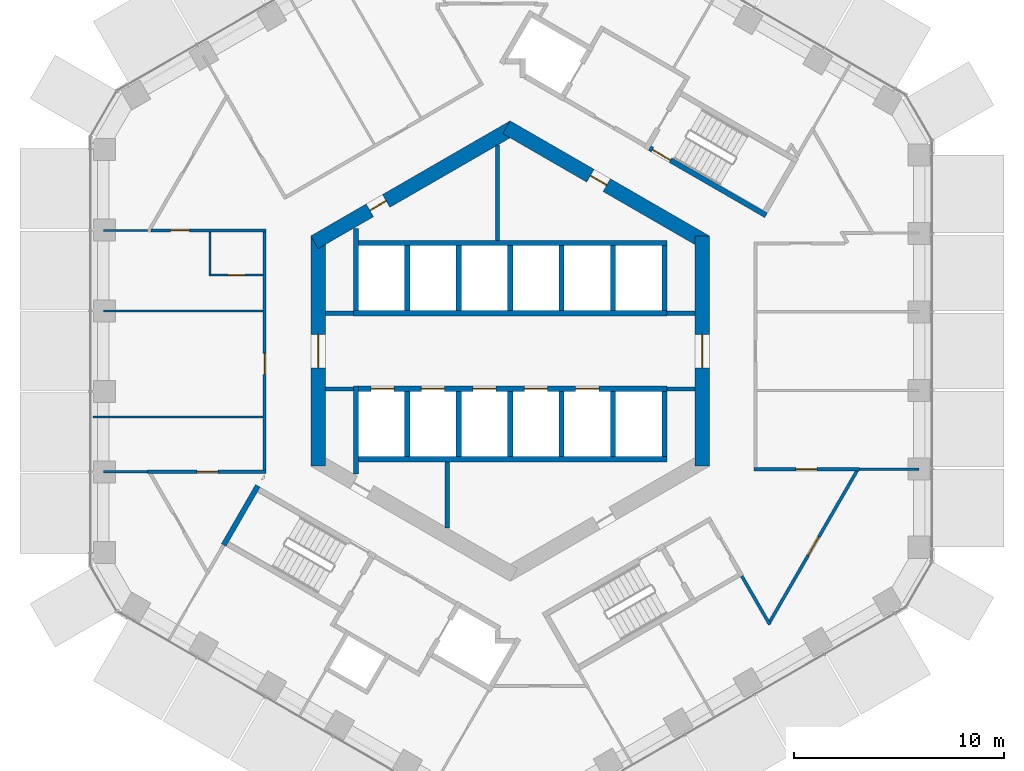
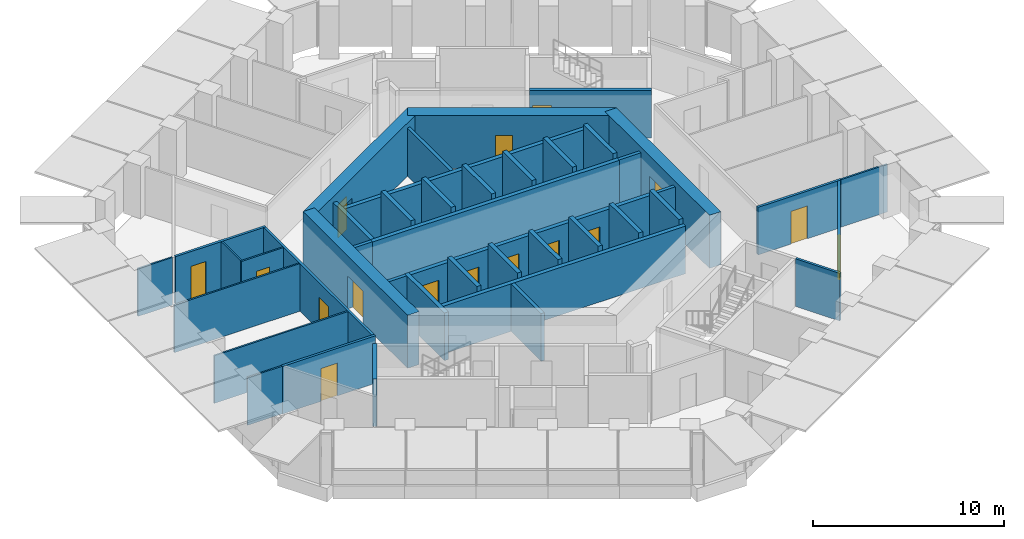
# One storey, part 13 of 18: 43 walls, 16 doors, 16 openings.
"""IFC4 building model written with IfcOpenShell, lengths in metres."""

from ifc_helpers import new_model, si_unit, direction, frame, frame_2d, origin, place, context, subcontext, project, spatial, rectangle, extrude, material, layer, layer_set, type_object, element, fill, save


model = new_model("IFC4")

# Units and contexts
model_context = context("Model", 3, precision=1e-05, world=origin(), true_north=direction((0.0, 1.0)))
body_context = subcontext(model_context, "Body", "Model", "MODEL_VIEW")
ifc_project = project(units=[si_unit("LENGTHUNIT", "METRE"), si_unit("AREAUNIT", "SQUARE_METRE"), si_unit("VOLUMEUNIT", "CUBIC_METRE"), si_unit("PLANEANGLEUNIT", "RADIAN"), si_unit("MASSUNIT", "GRAM", prefix="KILO")], contexts=[model_context])

# Site, building, storey
site_placement = place(None, origin())
site = spatial("IfcSite", under=ifc_project, at=site_placement, CompositionType="ELEMENT")
building_placement = place(site_placement, origin())
building = spatial("IfcBuilding", under=site, at=building_placement, Name="Ayvan Gate Tower", CompositionType="ELEMENT")
storey_placement = place(building_placement, frame((0.0, 0.0, 89.89990234375)))
storey = spatial("IfcBuildingStorey", under=building, at=storey_placement, Name="L23", CompositionType="ELEMENT", Elevation=89.89990234375)

# Wall, opening, door
ifc_material_1 = material(Name="Concrete C70/85", Category="concrete")
ifc_layer_1 = layer(ifc_material_1, 0.699951171875)
ifc_layer_set_1 = layer_set([ifc_layer_1], Name="Concrete C70/85")
wall_type_1 = type_object("IfcWallType", Name="Core wall 700 C70/85", PredefinedType="SHEAR", material=ifc_layer_set_1)
wall_1_placement = place(storey_placement, frame((9.14990234375, -5.48486328125, 0.0), z_axis=(0.0, 0.0, 1.0), x_axis=(0.0, 1.0, 0.0)))
wall_1 = element("IfcWall", 1, at=wall_1_placement, inside=storey, type_object=wall_type_1, Name="CORE-L23-0", PredefinedType="SHEAR", context=body_context, shape_type="SweptSolid", body=[
    extrude(rectangle(XDim=10.9697265625, YDim=0.699951171875, at=frame_2d((5.48486328125, 0.0))), origin(), (0.0, 0.0, 1.0), 3.400146484375),
])
opening_1_placement = place(wall_1_placement, frame((4.684814453125, 0.0, 0.0)))
opening_1 = element("IfcOpeningElement", 2, at=opening_1_placement, cuts=wall_1, Name="Opening L23-D41", PredefinedType="OPENING", context=body_context, shape_type="SweptSolid", body=[
    extrude(rectangle(XDim=1.60009765625, YDim=2.10009765625, at=frame_2d((0.800048828125, 1.050048828125))), frame((0.0, 0.35986328125, 0.0), z_axis=(0.0, -1.0, 0.0), x_axis=(1.0, 0.0, 0.0)), (0.0, 0.0, 1.0), 0.719970703125),
])
ifc_material_2 = material(Name="Timber door leaf", Category="wood")
door_type_1 = type_object("IfcDoorType", Name="DT-1600", OperationType="NOTDEFINED", PredefinedType="DOOR", material=ifc_material_2)
door_1_placement = place(opening_1_placement, origin())
door_1 = element("IfcDoor", 3, at=door_1_placement, inside=storey, type_object=door_type_1, Name="CD-L23-41", OperationType="SINGLE_SWING_RIGHT", OverallHeight=2.10009765625, OverallWidth=1.60009765625, PredefinedType="DOOR", context=body_context, shape_type="SweptSolid", body=[
    extrude(rectangle(XDim=1.60009765625, YDim=2.10009765625, at=frame_2d((0.800048828125, 1.050048828125))), frame((0.0, 0.02490234375, 0.0), z_axis=(0.0, -1.0, 0.0), x_axis=(1.0, 0.0, 0.0)), (0.0, 0.0, 1.0), 0.050048828125),
])
fill(opening_1, door_1)

wall_2_placement = place(storey_placement, frame((9.324951171875, 5.181640625, 0.0), z_axis=(0.0, 0.0, 1.0), x_axis=(-0.866023993627, 0.500002442456, 0.0)))
wall_2 = element("IfcWall", 4, at=wall_2_placement, inside=storey, type_object=wall_type_1, Name="CORE-L23-1", PredefinedType="SHEAR", context=body_context, shape_type="SweptSolid", body=[
    extrude(rectangle(XDim=10.9697265625, YDim=0.699951171875, at=frame_2d((5.48486328125, 0.0))), origin(), (0.0, 0.0, 1.0), 3.400146484375),
])
opening_2_placement = place(wall_2_placement, frame((5.451171875, 0.0, 0.0)))
opening_2 = element("IfcOpeningElement", 5, at=opening_2_placement, cuts=wall_2, Name="Opening L23-D38", PredefinedType="OPENING", context=body_context, shape_type="SweptSolid", body=[
    extrude(rectangle(XDim=0.89990234375, YDim=2.10009765625, at=frame_2d((0.449951171875, 1.050048828125))), frame((0.0, 0.35986328125, 0.0), z_axis=(0.0, -1.0, 0.0), x_axis=(1.0, 0.0, 0.0)), (0.0, 0.0, 1.0), 0.719970703125),
])
door_type_2 = type_object("IfcDoorType", Name="DT-900", OperationType="NOTDEFINED", PredefinedType="DOOR", material=ifc_material_2)
door_2_placement = place(opening_2_placement, origin())
door_2 = element("IfcDoor", 6, at=door_2_placement, inside=storey, type_object=door_type_2, Name="CD-L23-38", OperationType="SINGLE_SWING_LEFT", OverallHeight=2.10009765625, OverallWidth=0.89990234375, PredefinedType="DOOR", context=body_context, shape_type="SweptSolid", body=[
    extrude(rectangle(XDim=0.89990234375, YDim=2.10009765625, at=frame_2d((0.449951171875, 1.050048828125))), frame((0.0, 0.02490234375, 0.0), z_axis=(0.0, -1.0, 0.0), x_axis=(1.0, 0.0, 0.0)), (0.0, 0.0, 1.0), 0.050048828125),
])
fill(opening_2, door_2)

wall_3_placement = place(storey_placement, frame((0.175048828125, 10.66650390625, 0.0), z_axis=(0.0, 0.0, 1.0), x_axis=(-0.866023993627, -0.500002442456, 0.0)))
wall_3 = element("IfcWall", 7, at=wall_3_placement, inside=storey, type_object=wall_type_1, Name="CORE-L23-2", PredefinedType="SHEAR", context=body_context, shape_type="SweptSolid", body=[
    extrude(rectangle(XDim=10.9697265625, YDim=0.699951171875, at=frame_2d((5.48486328125, 0.0))), origin(), (0.0, 0.0, 1.0), 3.400146484375),
])
opening_3_placement = place(wall_3_placement, frame((7.021484375, 0.0, 0.0)))
opening_3 = element("IfcOpeningElement", 8, at=opening_3_placement, cuts=wall_3, Name="Opening L23-D37", PredefinedType="OPENING", context=body_context, shape_type="SweptSolid", body=[
    extrude(rectangle(XDim=0.89990234375, YDim=2.10009765625, at=frame_2d((0.449951171875, 1.050048828125))), frame((0.0, 0.35986328125, 0.0), z_axis=(0.0, -1.0, 0.0), x_axis=(1.0, 0.0, 0.0)), (0.0, 0.0, 1.0), 0.719970703125),
])
door_3_placement = place(opening_3_placement, origin())
door_3 = element("IfcDoor", 9, at=door_3_placement, inside=storey, type_object=door_type_2, Name="CD-L23-37", OperationType="SINGLE_SWING_RIGHT", OverallHeight=2.10009765625, OverallWidth=0.89990234375, PredefinedType="DOOR", context=body_context, shape_type="SweptSolid", body=[
    extrude(rectangle(XDim=0.89990234375, YDim=2.10009765625, at=frame_2d((0.449951171875, 1.050048828125))), frame((0.0, 0.02490234375, 0.0), z_axis=(0.0, -1.0, 0.0), x_axis=(1.0, 0.0, 0.0)), (0.0, 0.0, 1.0), 0.050048828125),
])
fill(opening_3, door_3)

wall_4_placement = place(storey_placement, frame((-9.14990234375, 5.48486328125, 0.0), z_axis=(0.0, 0.0, 1.0), x_axis=(0.0, -1.0, 0.0)))
wall_4 = element("IfcWall", 10, at=wall_4_placement, inside=storey, type_object=wall_type_1, Name="CORE-L23-3", PredefinedType="SHEAR", context=body_context, shape_type="SweptSolid", body=[
    extrude(rectangle(XDim=10.9697265625, YDim=0.699951171875, at=frame_2d((5.48486328125, 0.0))), origin(), (0.0, 0.0, 1.0), 3.400146484375),
])
opening_4_placement = place(wall_4_placement, frame((4.684814453125, 0.0, 0.0)))
opening_4 = element("IfcOpeningElement", 11, at=opening_4_placement, cuts=wall_4, Name="Opening L23-D42", PredefinedType="OPENING", context=body_context, shape_type="SweptSolid", body=[
    extrude(rectangle(XDim=1.60009765625, YDim=2.10009765625, at=frame_2d((0.800048828125, 1.050048828125))), frame((0.0, 0.35986328125, 0.0), z_axis=(0.0, -1.0, 0.0), x_axis=(1.0, 0.0, 0.0)), (0.0, 0.0, 1.0), 0.719970703125),
])
door_4_placement = place(opening_4_placement, origin())
door_4 = element("IfcDoor", 12, at=door_4_placement, inside=storey, type_object=door_type_1, Name="CD-L23-42", OperationType="SINGLE_SWING_LEFT", OverallHeight=2.10009765625, OverallWidth=1.60009765625, PredefinedType="DOOR", context=body_context, shape_type="SweptSolid", body=[
    extrude(rectangle(XDim=1.60009765625, YDim=2.10009765625, at=frame_2d((0.800048828125, 1.050048828125))), frame((0.0, 0.02490234375, 0.0), z_axis=(0.0, -1.0, 0.0), x_axis=(1.0, 0.0, 0.0)), (0.0, 0.0, 1.0), 0.050048828125),
])
fill(opening_4, door_4)

ifc_material_3 = material(Name="Plasterboard on steel stud", Category="steel")
ifc_layer_2 = layer(ifc_material_3, 0.14990234375)
ifc_layer_set_2 = layer_set([ifc_layer_2], Name="Plasterboard on steel stud")
wall_type_2 = type_object("IfcWallType", Name="WT-CORR-150", PredefinedType="PARTITIONING", material=ifc_layer_set_2)
wall_5_placement = place(storey_placement, frame((-17.27001953125, -5.751953125, 0.0), z_axis=(0.0, 0.0, 1.0), x_axis=(1.0, 0.0, 0.0)))
wall_5 = element("IfcWall", 13, at=wall_5_placement, inside=storey, type_object=wall_type_2, Name="IW-L23-001", PredefinedType="PARTITIONING", context=body_context, shape_type="SweptSolid", body=[
    extrude(rectangle(XDim=5.64501953125, YDim=0.14990234375, at=frame_2d((2.822509765625, 0.0))), origin(), (0.0, 0.0, 1.0), 3.050048828125),
])
opening_5_placement = place(wall_5_placement, frame((2.33984375, 0.0, 0.0)))
opening_5 = element("IfcOpeningElement", 14, at=opening_5_placement, cuts=wall_5, Name="Opening L23-D27", PredefinedType="OPENING", context=body_context, shape_type="SweptSolid", body=[
    extrude(rectangle(XDim=1.0, YDim=2.10009765625, at=frame_2d((0.5, 1.050048828125))), frame((0.0, 0.0849609375, 0.0), z_axis=(0.0, -1.0, 0.0), x_axis=(1.0, 0.0, 0.0)), (0.0, 0.0, 1.0), 0.169921875),
])
door_type_3 = type_object("IfcDoorType", Name="DT-1000", OperationType="NOTDEFINED", PredefinedType="DOOR", material=ifc_material_2)
door_5_placement = place(opening_5_placement, origin())
door_5 = element("IfcDoor", 15, at=door_5_placement, inside=storey, type_object=door_type_3, Name="ID-L23-027", OperationType="SINGLE_SWING_RIGHT", OverallHeight=2.10009765625, OverallWidth=1.0, PredefinedType="DOOR", context=body_context, shape_type="SweptSolid", body=[
    extrude(rectangle(XDim=1.0, YDim=2.10009765625, at=frame_2d((0.5, 1.050048828125))), frame((0.0, 0.02490234375, 0.0), z_axis=(0.0, -1.0, 0.0), x_axis=(1.0, 0.0, 0.0)), (0.0, 0.0, 1.0), 0.050048828125),
])
fill(opening_5, door_5)

wall_6_placement = place(storey_placement, frame((-17.1201171875, 5.751953125, 0.0), z_axis=(0.0, 0.0, 1.0), x_axis=(1.0, 0.0, 0.0)))
wall_6 = element("IfcWall", 16, at=wall_6_placement, inside=storey, type_object=wall_type_2, Name="IW-L23-009", PredefinedType="PARTITIONING", context=body_context, shape_type="SweptSolid", body=[
    extrude(rectangle(XDim=5.4951171875, YDim=0.14990234375, at=frame_2d((2.74755859375, 0.0))), origin(), (0.0, 0.0, 1.0), 3.050048828125),
])
opening_6_placement = place(wall_6_placement, frame((0.945068359375, 0.0, 0.0)))
opening_6 = element("IfcOpeningElement", 17, at=opening_6_placement, cuts=wall_6, Name="Opening L23-D24", PredefinedType="OPENING", context=body_context, shape_type="SweptSolid", body=[
    extrude(rectangle(XDim=0.89990234375, YDim=2.10009765625, at=frame_2d((0.449951171875, 1.050048828125))), frame((0.0, 0.0849609375, 0.0), z_axis=(0.0, -1.0, 0.0), x_axis=(1.0, 0.0, 0.0)), (0.0, 0.0, 1.0), 0.169921875),
])
door_6_placement = place(opening_6_placement, origin())
door_6 = element("IfcDoor", 18, at=door_6_placement, inside=storey, type_object=door_type_2, Name="ID-L23-024", OperationType="SINGLE_SWING_LEFT", OverallHeight=2.10009765625, OverallWidth=0.89990234375, PredefinedType="DOOR", context=body_context, shape_type="SweptSolid", body=[
    extrude(rectangle(XDim=0.89990234375, YDim=2.10009765625, at=frame_2d((0.449951171875, 1.050048828125))), frame((0.0, 0.02490234375, 0.0), z_axis=(0.0, -1.0, 0.0), x_axis=(1.0, 0.0, 0.0)), (0.0, 0.0, 1.0), 0.050048828125),
])
fill(opening_6, door_6)

wall_7_placement = place(storey_placement, frame((-11.699951171875, 5.677001953125, 0.0), z_axis=(0.0, 0.0, 1.0), x_axis=(0.0, -1.0, 0.0)))
wall_7 = element("IfcWall", 19, at=wall_7_placement, inside=storey, type_object=wall_type_2, Name="IW-L23-015", PredefinedType="PARTITIONING", context=body_context, shape_type="SweptSolid", body=[
    extrude(rectangle(XDim=11.35400390625, YDim=0.14990234375, at=frame_2d((5.677001953125, 0.0))), origin(), (0.0, 0.0, 1.0), 3.050048828125),
])
opening_7_placement = place(wall_7_placement, frame((5.790283203125, 0.0, 0.0)))
opening_7 = element("IfcOpeningElement", 20, at=opening_7_placement, cuts=wall_7, Name="Opening L23-D26", PredefinedType="OPENING", context=body_context, shape_type="SweptSolid", body=[
    extrude(rectangle(XDim=1.0, YDim=2.10009765625, at=frame_2d((0.5, 1.050048828125))), frame((0.0, 0.0849609375, 0.0), z_axis=(0.0, -1.0, 0.0), x_axis=(1.0, 0.0, 0.0)), (0.0, 0.0, 1.0), 0.169921875),
])
door_7_placement = place(opening_7_placement, origin())
door_7 = element("IfcDoor", 21, at=door_7_placement, inside=storey, type_object=door_type_3, Name="ID-L23-026", OperationType="SINGLE_SWING_LEFT", OverallHeight=2.10009765625, OverallWidth=1.0, PredefinedType="DOOR", context=body_context, shape_type="SweptSolid", body=[
    extrude(rectangle(XDim=1.0, YDim=2.10009765625, at=frame_2d((0.5, 1.050048828125))), frame((0.0, 0.02490234375, 0.0), z_axis=(0.0, -1.0, 0.0), x_axis=(1.0, 0.0, 0.0)), (0.0, 0.0, 1.0), 0.050048828125),
])
fill(opening_7, door_7)

wall_8_placement = place(storey_placement, frame((11.625, -5.62841796875, 0.0), z_axis=(0.0, 0.0, 1.0), x_axis=(1.0, 0.0, 0.0)))
wall_8 = element("IfcWall", 22, at=wall_8_placement, inside=storey, type_object=wall_type_2, Name="IW-L23-096", PredefinedType="PARTITIONING", context=body_context, shape_type="SweptSolid", body=[
    extrude(rectangle(XDim=5.0234375, YDim=0.14990234375, at=frame_2d((2.51171875, 0.0))), origin(), (0.0, 0.0, 1.0), 3.050048828125),
])
opening_8_placement = place(wall_8_placement, frame((1.994384765625, 0.0, 0.0)))
opening_8 = element("IfcOpeningElement", 23, at=opening_8_placement, cuts=wall_8, Name="Opening L23-D17", PredefinedType="OPENING", context=body_context, shape_type="SweptSolid", body=[
    extrude(rectangle(XDim=1.0, YDim=2.10009765625, at=frame_2d((0.5, 1.050048828125))), frame((0.0, 0.0849609375, 0.0), z_axis=(0.0, -1.0, 0.0), x_axis=(1.0, 0.0, 0.0)), (0.0, 0.0, 1.0), 0.169921875),
])
door_8_placement = place(opening_8_placement, origin())
door_8 = element("IfcDoor", 24, at=door_8_placement, inside=storey, type_object=door_type_3, Name="ID-L23-017", OperationType="SINGLE_SWING_RIGHT", OverallHeight=2.10009765625, OverallWidth=1.0, PredefinedType="DOOR", context=body_context, shape_type="SweptSolid", body=[
    extrude(rectangle(XDim=1.0, YDim=2.10009765625, at=frame_2d((0.5, 1.050048828125))), frame((0.0, 0.02490234375, 0.0), z_axis=(0.0, -1.0, 0.0), x_axis=(1.0, 0.0, 0.0)), (0.0, 0.0, 1.0), 0.050048828125),
])
fill(opening_8, door_8)

# Wall
wall_9_placement = place(storey_placement, frame((12.3740234375, -13.0322265625, 0.0), z_axis=(0.0, 0.0, 1.0), x_axis=(-0.499999136801, 0.866025902152, 0.0)))
element("IfcWall", 25, at=wall_9_placement, inside=storey, type_object=wall_type_2, Name="IW-L23-101", PredefinedType="PARTITIONING", context=body_context, shape_type="SweptSolid", body=[
    extrude(rectangle(XDim=2.67333984375, YDim=0.14990234375, at=frame_2d((1.336669921875, 0.0))), origin(), (0.0, 0.0, 1.0), 3.050048828125),
])

# Wall, opening, door
wall_10_placement = place(storey_placement, frame((16.535888671875, -5.693603515625, 0.0), z_axis=(0.0, 0.0, 1.0), x_axis=(-0.49999073022, -0.866030755628, 0.0)))
wall_10 = element("IfcWall", 26, at=wall_10_placement, inside=storey, type_object=wall_type_2, Name="IW-L23-111", PredefinedType="PARTITIONING", context=body_context, shape_type="SweptSolid", body=[
    extrude(rectangle(XDim=8.323974609375, YDim=0.14990234375, at=frame_2d((4.162109375, 0.0))), origin(), (0.0, 0.0, 1.0), 3.050048828125),
])
opening_9_placement = place(wall_10_placement, frame((3.662109375, 0.0, 0.0)))
opening_9 = element("IfcOpeningElement", 27, at=opening_9_placement, cuts=wall_10, Name="Opening L23-D33", PredefinedType="OPENING", context=body_context, shape_type="SweptSolid", body=[
    extrude(rectangle(XDim=1.0, YDim=2.10009765625, at=frame_2d((0.5, 1.050048828125))), frame((0.0, 0.0849609375, 0.0), z_axis=(0.0, -1.0, 0.0), x_axis=(1.0, 0.0, 0.0)), (0.0, 0.0, 1.0), 0.169921875),
])
door_9_placement = place(opening_9_placement, origin())
door_9 = element("IfcDoor", 28, at=door_9_placement, inside=storey, type_object=door_type_3, Name="ID-L23-033", OperationType="SINGLE_SWING_RIGHT", OverallHeight=2.10009765625, OverallWidth=1.0, PredefinedType="DOOR", context=body_context, shape_type="SweptSolid", body=[
    extrude(rectangle(XDim=1.0, YDim=2.10009765625, at=frame_2d((0.5, 1.050048828125))), frame((0.0, 0.02490234375, 0.0), z_axis=(0.0, -1.0, 0.0), x_axis=(1.0, 0.0, 0.0)), (0.0, 0.0, 1.0), 0.050048828125),
])
fill(opening_9, door_9)

# Walls
ifc_layer_3 = layer(ifc_material_3, 0.10009765625)
ifc_layer_set_3 = layer_set([ifc_layer_3], Name="Plasterboard on steel stud")
wall_type_3 = type_object("IfcWallType", Name="WT-PART-100", PredefinedType="PARTITIONING", material=ifc_layer_set_3)
for number, where, z_axis, x_axis, name in (
    (29, (-17.27001953125, -5.751953125, 0.0), (0.0, 0.0, 1.0), (-1.0, 0.0, 0.0), "IW-L23-000"),
    (30, (-17.27001953125, 5.751953125, 0.0), (0.0, 0.0, 1.0), (-1.0, 0.0, 0.0), "IW-L23-002"),
):
    element("IfcWall", number, at=place(storey_placement, frame(where, z_axis=z_axis, x_axis=x_axis)), inside=storey, type_object=wall_type_3, Name=name, PredefinedType="PARTITIONING", context=body_context, shape_type="SweptSolid", body=[
        extrude(rectangle(XDim=2.096923828125, YDim=0.10009765625, at=frame_2d((1.04833984375, 0.0))), origin(), (0.0, 0.0, 1.0), 3.050048828125),
    ])

# Wall, opening, door
wall_11_placement = place(storey_placement, frame((-14.35009765625, 3.6171875, 0.0), z_axis=(0.0, 0.0, 1.0), x_axis=(1.0, 0.0, 0.0)))
wall_11 = element("IfcWall", 31, at=wall_11_placement, inside=storey, type_object=wall_type_3, Name="IW-L23-007", PredefinedType="PARTITIONING", context=body_context, shape_type="SweptSolid", body=[
    extrude(rectangle(XDim=2.5751953125, YDim=0.10009765625, at=frame_2d((1.28759765625, 0.0))), origin(), (0.0, 0.0, 1.0), 3.050048828125),
])
opening_10_placement = place(wall_11_placement, frame((0.91259765625, 0.0, 0.0)))
opening_10 = element("IfcOpeningElement", 32, at=opening_10_placement, cuts=wall_11, Name="Opening L23-D25", PredefinedType="OPENING", context=body_context, shape_type="SweptSolid", body=[
    extrude(rectangle(XDim=0.800048828125, YDim=2.10009765625, at=frame_2d((0.39990234375, 1.050048828125))), frame((0.0, 0.06005859375, 0.0), z_axis=(0.0, -1.0, 0.0), x_axis=(1.0, 0.0, 0.0)), (0.0, 0.0, 1.0), 0.1201171875),
])
door_type_4 = type_object("IfcDoorType", Name="DT-800", OperationType="NOTDEFINED", PredefinedType="DOOR", material=ifc_material_2)
door_10_placement = place(opening_10_placement, origin())
door_10 = element("IfcDoor", 33, at=door_10_placement, inside=storey, type_object=door_type_4, Name="ID-L23-025", OperationType="SINGLE_SWING_RIGHT", OverallHeight=2.10009765625, OverallWidth=0.800048828125, PredefinedType="DOOR", context=body_context, shape_type="SweptSolid", body=[
    extrude(rectangle(XDim=0.800048828125, YDim=2.10009765625, at=frame_2d((0.39990234375, 1.050048828125))), frame((0.0, 0.02490234375, 0.0), z_axis=(0.0, -1.0, 0.0), x_axis=(1.0, 0.0, 0.0)), (0.0, 0.0, 1.0), 0.050048828125),
])
fill(opening_10, door_10)

# Walls
wall_12_placement = place(storey_placement, frame((-14.300048828125, 5.677001953125, 0.0), z_axis=(0.0, 0.0, 1.0), x_axis=(0.0, -1.0, 0.0)))
element("IfcWall", 34, at=wall_12_placement, inside=storey, type_object=wall_type_3, Name="IW-L23-008", PredefinedType="PARTITIONING", context=body_context, shape_type="SweptSolid", body=[
    extrude(rectangle(XDim=2.009765625, YDim=0.10009765625, at=frame_2d((1.0048828125, 0.0))), origin(), (0.0, 0.0, 1.0), 3.050048828125),
])
wall_13_placement = place(storey_placement, frame((-11.77490234375, -3.144287109375, 0.0), z_axis=(0.0, 0.0, 1.0), x_axis=(-1.0, 0.0, 0.0)))
element("IfcWall", 35, at=wall_13_placement, inside=storey, type_object=wall_type_3, Name="IW-L23-014", PredefinedType="PARTITIONING", context=body_context, shape_type="SweptSolid", body=[
    extrude(rectangle(XDim=8.113037109375, YDim=0.10009765625, at=frame_2d((4.056640625, 0.0))), origin(), (0.0, 0.0, 1.0), 3.050048828125),
])
wall_14_placement = place(storey_placement, frame((-11.77490234375, 1.917236328125, 0.0), z_axis=(0.0, 0.0, 1.0), x_axis=(-1.0, 0.0, 0.0)))
element("IfcWall", 36, at=wall_14_placement, inside=storey, type_object=wall_type_3, Name="IW-L23-016", PredefinedType="PARTITIONING", context=body_context, shape_type="SweptSolid", body=[
    extrude(rectangle(XDim=7.592041015625, YDim=0.10009765625, at=frame_2d((3.7958984375, 0.0))), origin(), (0.0, 0.0, 1.0), 3.050048828125),
])
wall_15_placement = place(storey_placement, frame((19.485595703125, -5.62841796875, 0.0), z_axis=(0.0, 0.0, 1.0), x_axis=(-1.0, 0.0, 0.0)))
element("IfcWall", 37, at=wall_15_placement, inside=storey, type_object=wall_type_3, Name="IW-L23-114", PredefinedType="PARTITIONING", context=body_context, shape_type="SweptSolid", body=[
    extrude(rectangle(XDim=2.837158203125, YDim=0.10009765625, at=frame_2d((1.41845703125, 0.0))), origin(), (0.0, 0.0, 1.0), 3.050048828125),
])
ifc_layer_4 = layer(ifc_material_3, 0.199951171875)
ifc_layer_set_4 = layer_set([ifc_layer_4], Name="Plasterboard on steel stud")
wall_type_4 = type_object("IfcWallType", Name="WT-RATED-200", PredefinedType="PARTITIONING", material=ifc_layer_set_4)
for number, where, z_axis, x_axis, name in (
    (38, (-8.800048828125, 1.800048828125, 0.0), (0.0, 0.0, 1.0), (1.0, 0.0, 0.0), "IW-L23-018"),
    (39, (-7.474853515625, -1.800048828125, 0.0), (0.0, 0.0, 1.0), (-1.0, 0.0, 0.0), "IW-L23-028"),
):
    element("IfcWall", number, at=place(storey_placement, frame(where, z_axis=z_axis, x_axis=x_axis)), inside=storey, type_object=wall_type_4, Name=name, PredefinedType="PARTITIONING", context=body_context, shape_type="SweptSolid", body=[
        extrude(rectangle(XDim=1.3251953125, YDim=0.199951171875, at=frame_2d((0.66259765625, 0.0))), origin(), (0.0, 0.0, 1.0), 3.050048828125),
    ])
wall_16_placement = place(storey_placement, frame((-3.0, -5.27490234375, 0.0), z_axis=(0.0, 0.0, 1.0), x_axis=(0.0, -1.0, 0.0)))
element("IfcWall", 40, at=wall_16_placement, inside=storey, type_object=wall_type_4, Name="IW-L23-048", PredefinedType="PARTITIONING", context=body_context, shape_type="SweptSolid", body=[
    extrude(rectangle(XDim=3.154296875, YDim=0.199951171875, at=frame_2d((1.5771484375, 0.0))), origin(), (0.0, 0.0, 1.0), 3.050048828125),
])
wall_17_placement = place(storey_placement, frame((-0.60009765625, 9.81494140625, 0.0), z_axis=(0.0, 0.0, 1.0), x_axis=(0.0, -1.0, 0.0)))
element("IfcWall", 41, at=wall_17_placement, inside=storey, type_object=wall_type_4, Name="IW-L23-058", PredefinedType="PARTITIONING", context=body_context, shape_type="SweptSolid", body=[
    extrude(rectangle(XDim=4.5400390625, YDim=0.199951171875, at=frame_2d((2.27001953125, 0.0))), origin(), (0.0, 0.0, 1.0), 3.050048828125),
])
for number, where, z_axis, x_axis, name in (
    (42, (7.474853515625, 1.800048828125, 0.0), (0.0, 0.0, 1.0), (1.0, 0.0, 0.0), "IW-L23-087"),
    (43, (8.800048828125, -1.800048828125, 0.0), (0.0, 0.0, 1.0), (-1.0, 0.0, 0.0), "IW-L23-093"),
):
    element("IfcWall", number, at=place(storey_placement, frame(where, z_axis=z_axis, x_axis=x_axis)), inside=storey, type_object=wall_type_4, Name=name, PredefinedType="PARTITIONING", context=body_context, shape_type="SweptSolid", body=[
        extrude(rectangle(XDim=1.3251953125, YDim=0.199951171875, at=frame_2d((0.66259765625, 0.0))), origin(), (0.0, 0.0, 1.0), 3.050048828125),
    ])
ifc_material_4 = material(Name="Concrete C50/60", Category="concrete")
ifc_layer_5 = layer(ifc_material_4, 0.25)
ifc_layer_set_5 = layer_set([ifc_layer_5], Name="Concrete C50/60")
wall_type_5 = type_object("IfcWallType", Name="WT-RC-250", PredefinedType="SHEAR", material=ifc_layer_set_5)
wall_18_placement = place(storey_placement, frame((-13.64794921875, -9.23876953125, 0.0), z_axis=(0.0, 0.0, 1.0), x_axis=(0.500017246033, 0.866015446554, 0.0)))
element("IfcWall", 44, at=wall_18_placement, inside=storey, type_object=wall_type_5, Name="IW-L23-010", PredefinedType="SHEAR", context=body_context, shape_type="SweptSolid", body=[
    extrude(rectangle(XDim=3.25, YDim=0.25, at=frame_2d((1.625, 0.0))), origin(), (0.0, 0.0, 1.0), 3.050048828125),
])
wall_19_placement = place(storey_placement, frame((-7.47509765625, 1.800048828125, 0.0), z_axis=(0.0, 0.0, 1.0), x_axis=(1.0, 0.0, 0.0)))
element("IfcWall", 45, at=wall_19_placement, inside=storey, type_object=wall_type_5, Name="IW-L23-024", PredefinedType="SHEAR", context=body_context, shape_type="SweptSolid", body=[
    extrude(rectangle(XDim=14.9501953125, YDim=0.25, at=frame_2d((7.47509765625, 0.0))), origin(), (0.0, 0.0, 1.0), 3.050048828125),
])
wall_20_placement = place(storey_placement, frame((-7.35009765625, -5.845703125, 0.0), z_axis=(0.0, 0.0, 1.0), x_axis=(0.0, 1.0, 0.0)))
element("IfcWall", 46, at=wall_20_placement, inside=storey, type_object=wall_type_5, Name="IW-L23-025", PredefinedType="SHEAR", context=body_context, shape_type="SweptSolid", body=[
    extrude(rectangle(XDim=4.170654296875, YDim=0.25, at=frame_2d((2.08544921875, 0.0))), origin(), (0.0, 0.0, 1.0), 3.050048828125),
])
wall_21_placement = place(storey_placement, frame((-7.35009765625, 1.925048828125, 0.0), z_axis=(0.0, 0.0, 1.0), x_axis=(0.0, 1.0, 0.0)))
element("IfcWall", 47, at=wall_21_placement, inside=storey, type_object=wall_type_5, Name="IW-L23-026", PredefinedType="SHEAR", context=body_context, shape_type="SweptSolid", body=[
    extrude(rectangle(XDim=3.920654296875, YDim=0.25, at=frame_2d((1.96044921875, 0.0))), origin(), (0.0, 0.0, 1.0), 3.050048828125),
])
for number, where, z_axis, x_axis, name in (
    (48, (-7.22509765625, 5.14990234375, 0.0), (0.0, 0.0, 1.0), (1.0, 0.0, 0.0), "IW-L23-027"),
    (49, (-7.22509765625, -5.14990234375, 0.0), (0.0, 0.0, 1.0), (1.0, 0.0, 0.0), "IW-L23-035"),
):
    element("IfcWall", number, at=place(storey_placement, frame(where, z_axis=z_axis, x_axis=x_axis)), inside=storey, type_object=wall_type_5, Name=name, PredefinedType="SHEAR", context=body_context, shape_type="SweptSolid", body=[
        extrude(rectangle(XDim=14.7001953125, YDim=0.25, at=frame_2d((7.35009765625, 0.0))), origin(), (0.0, 0.0, 1.0), 3.050048828125),
    ])
for number, where, z_axis, x_axis, name in (
    (50, (-4.89990234375, -1.925048828125, 0.0), (0.0, 0.0, 1.0), (0.0, -1.0, 0.0), "IW-L23-036"),
    (51, (-4.89990234375, 5.02490234375, 0.0), (0.0, 0.0, 1.0), (0.0, -1.0, 0.0), "IW-L23-037"),
):
    element("IfcWall", number, at=place(storey_placement, frame(where, z_axis=z_axis, x_axis=x_axis)), inside=storey, type_object=wall_type_5, Name=name, PredefinedType="SHEAR", context=body_context, shape_type="SweptSolid", body=[
        extrude(rectangle(XDim=3.099853515625, YDim=0.25, at=frame_2d((1.5498046875, 0.0))), origin(), (0.0, 0.0, 1.0), 3.400146484375),
    ])

# Wall, openings, doors
wall_22_placement = place(storey_placement, frame((-7.22509765625, -1.800048828125, 0.0), z_axis=(0.0, 0.0, 1.0), x_axis=(1.0, 0.0, 0.0)))
wall_22 = element("IfcWall", 52, at=wall_22_placement, inside=storey, type_object=wall_type_5, Name="IW-L23-038", PredefinedType="SHEAR", context=body_context, shape_type="SweptSolid", body=[
    extrude(rectangle(XDim=14.7001953125, YDim=0.25, at=frame_2d((7.35009765625, 0.0))), origin(), (0.0, 0.0, 1.0), 3.050048828125),
])
opening_11_placement = place(wall_22_placement, frame((0.597412109375, 0.0, 0.0)))
opening_11 = element("IfcOpeningElement", 53, at=opening_11_placement, cuts=wall_22, Name="Opening L23-LD-LR1", PredefinedType="OPENING", context=body_context, shape_type="SweptSolid", body=[
    extrude(rectangle(XDim=1.10009765625, YDim=2.10009765625, at=frame_2d((0.550048828125, 1.050048828125))), frame((0.0, 0.135009765625, 0.0), z_axis=(0.0, -1.0, 0.0), x_axis=(1.0, 0.0, 0.0)), (0.0, 0.0, 1.0), 0.27001953125),
])
opening_12_placement = place(wall_22_placement, frame((3.0, 0.0, 0.0)))
opening_12 = element("IfcOpeningElement", 54, at=opening_12_placement, cuts=wall_22, Name="Opening L23-LD-LR2", PredefinedType="OPENING", context=body_context, shape_type="SweptSolid", body=[
    extrude(rectangle(XDim=1.10009765625, YDim=2.10009765625, at=frame_2d((0.550048828125, 1.050048828125))), frame((0.0, 0.135009765625, 0.0), z_axis=(0.0, -1.0, 0.0), x_axis=(1.0, 0.0, 0.0)), (0.0, 0.0, 1.0), 0.27001953125),
])
opening_13_placement = place(wall_22_placement, frame((5.4501953125, 0.0, 0.0)))
opening_13 = element("IfcOpeningElement", 55, at=opening_13_placement, cuts=wall_22, Name="Opening L23-LD-LR3", PredefinedType="OPENING", context=body_context, shape_type="SweptSolid", body=[
    extrude(rectangle(XDim=1.10009765625, YDim=2.10009765625, at=frame_2d((0.550048828125, 1.050048828125))), frame((0.0, 0.135009765625, 0.0), z_axis=(0.0, -1.0, 0.0), x_axis=(1.0, 0.0, 0.0)), (0.0, 0.0, 1.0), 0.27001953125),
])
opening_14_placement = place(wall_22_placement, frame((7.900146484375, 0.0, 0.0)))
opening_14 = element("IfcOpeningElement", 56, at=opening_14_placement, cuts=wall_22, Name="Opening L23-LD-LR4", PredefinedType="OPENING", context=body_context, shape_type="SweptSolid", body=[
    extrude(rectangle(XDim=1.10009765625, YDim=2.10009765625, at=frame_2d((0.550048828125, 1.050048828125))), frame((0.0, 0.135009765625, 0.0), z_axis=(0.0, -1.0, 0.0), x_axis=(1.0, 0.0, 0.0)), (0.0, 0.0, 1.0), 0.27001953125),
])
opening_15_placement = place(wall_22_placement, frame((10.35009765625, 0.0, 0.0)))
opening_15 = element("IfcOpeningElement", 57, at=opening_15_placement, cuts=wall_22, Name="Opening L23-LD-SV", PredefinedType="OPENING", context=body_context, shape_type="SweptSolid", body=[
    extrude(rectangle(XDim=1.10009765625, YDim=2.10009765625, at=frame_2d((0.550048828125, 1.050048828125))), frame((0.0, 0.135009765625, 0.0), z_axis=(0.0, -1.0, 0.0), x_axis=(1.0, 0.0, 0.0)), (0.0, 0.0, 1.0), 0.27001953125),
])
ifc_material_5 = material(Name="Stainless steel landing door", Category="steel")
door_type_5 = type_object("IfcDoorType", Name="DT-LANDING-1100", OperationType="SLIDING_TO_LEFT", PredefinedType="DOOR", material=ifc_material_5)
door_11_placement = place(opening_11_placement, origin())
door_11 = element("IfcDoor", 58, at=door_11_placement, inside=storey, type_object=door_type_5, Name="ID-L23-001", OperationType="SLIDING_TO_LEFT", OverallHeight=2.10009765625, OverallWidth=1.10009765625, PredefinedType="DOOR", context=body_context, shape_type="SweptSolid", body=[
    extrude(rectangle(XDim=1.10009765625, YDim=2.10009765625, at=frame_2d((0.550048828125, 1.050048828125))), frame((0.0, 0.02490234375, 0.0), z_axis=(0.0, -1.0, 0.0), x_axis=(1.0, 0.0, 0.0)), (0.0, 0.0, 1.0), 0.050048828125),
])
fill(opening_11, door_11)
door_12_placement = place(opening_12_placement, origin())
door_12 = element("IfcDoor", 59, at=door_12_placement, inside=storey, type_object=door_type_5, Name="ID-L23-002", OperationType="SLIDING_TO_LEFT", OverallHeight=2.10009765625, OverallWidth=1.10009765625, PredefinedType="DOOR", context=body_context, shape_type="SweptSolid", body=[
    extrude(rectangle(XDim=1.10009765625, YDim=2.10009765625, at=frame_2d((0.550048828125, 1.050048828125))), frame((0.0, 0.02490234375, 0.0), z_axis=(0.0, -1.0, 0.0), x_axis=(1.0, 0.0, 0.0)), (0.0, 0.0, 1.0), 0.050048828125),
])
fill(opening_12, door_12)
door_13_placement = place(opening_13_placement, origin())
door_13 = element("IfcDoor", 60, at=door_13_placement, inside=storey, type_object=door_type_5, Name="ID-L23-003", OperationType="SLIDING_TO_LEFT", OverallHeight=2.10009765625, OverallWidth=1.10009765625, PredefinedType="DOOR", context=body_context, shape_type="SweptSolid", body=[
    extrude(rectangle(XDim=1.10009765625, YDim=2.10009765625, at=frame_2d((0.550048828125, 1.050048828125))), frame((0.0, 0.02490234375, 0.0), z_axis=(0.0, -1.0, 0.0), x_axis=(1.0, 0.0, 0.0)), (0.0, 0.0, 1.0), 0.050048828125),
])
fill(opening_13, door_13)
door_14_placement = place(opening_14_placement, origin())
door_14 = element("IfcDoor", 61, at=door_14_placement, inside=storey, type_object=door_type_5, Name="ID-L23-004", OperationType="SLIDING_TO_LEFT", OverallHeight=2.10009765625, OverallWidth=1.10009765625, PredefinedType="DOOR", context=body_context, shape_type="SweptSolid", body=[
    extrude(rectangle(XDim=1.10009765625, YDim=2.10009765625, at=frame_2d((0.550048828125, 1.050048828125))), frame((0.0, 0.02490234375, 0.0), z_axis=(0.0, -1.0, 0.0), x_axis=(1.0, 0.0, 0.0)), (0.0, 0.0, 1.0), 0.050048828125),
])
fill(opening_14, door_14)
door_15_placement = place(opening_15_placement, origin())
door_15 = element("IfcDoor", 62, at=door_15_placement, inside=storey, type_object=door_type_5, Name="ID-L23-005", OperationType="SLIDING_TO_LEFT", OverallHeight=2.10009765625, OverallWidth=1.10009765625, PredefinedType="DOOR", context=body_context, shape_type="SweptSolid", body=[
    extrude(rectangle(XDim=1.10009765625, YDim=2.10009765625, at=frame_2d((0.550048828125, 1.050048828125))), frame((0.0, 0.02490234375, 0.0), z_axis=(0.0, -1.0, 0.0), x_axis=(1.0, 0.0, 0.0)), (0.0, 0.0, 1.0), 0.050048828125),
])
fill(opening_15, door_15)

# Walls
for number, where, z_axis, x_axis, name in (
    (63, (-2.449951171875, -1.925048828125, 0.0), (0.0, 0.0, 1.0), (0.0, -1.0, 0.0), "IW-L23-051"),
    (64, (-2.449951171875, 5.02490234375, 0.0), (0.0, 0.0, 1.0), (0.0, -1.0, 0.0), "IW-L23-052"),
    (65, (0.0, -1.925048828125, 0.0), (0.0, 0.0, 1.0), (0.0, -1.0, 0.0), "IW-L23-060"),
    (66, (0.0, 5.02490234375, 0.0), (0.0, 0.0, 1.0), (0.0, -1.0, 0.0), "IW-L23-061"),
    (67, (2.449951171875, -1.925048828125, 0.0), (0.0, 0.0, 1.0), (0.0, -1.0, 0.0), "IW-L23-069"),
    (68, (2.449951171875, 5.02490234375, 0.0), (0.0, 0.0, 1.0), (0.0, -1.0, 0.0), "IW-L23-070"),
    (69, (4.89990234375, -1.925048828125, 0.0), (0.0, 0.0, 1.0), (0.0, -1.0, 0.0), "IW-L23-079"),
    (70, (4.89990234375, 5.02490234375, 0.0), (0.0, 0.0, 1.0), (0.0, -1.0, 0.0), "IW-L23-080"),
    (71, (7.35009765625, -1.925048828125, 0.0), (0.0, 0.0, 1.0), (0.0, -1.0, 0.0), "IW-L23-088"),
    (72, (7.35009765625, 5.02490234375, 0.0), (0.0, 0.0, 1.0), (0.0, -1.0, 0.0), "IW-L23-089"),
):
    element("IfcWall", number, at=place(storey_placement, frame(where, z_axis=z_axis, x_axis=x_axis)), inside=storey, type_object=wall_type_5, Name=name, PredefinedType="SHEAR", context=body_context, shape_type="SweptSolid", body=[
        extrude(rectangle(XDim=3.099853515625, YDim=0.25, at=frame_2d((1.5498046875, 0.0))), origin(), (0.0, 0.0, 1.0), 3.400146484375),
    ])

# Wall, opening, door
wall_23_placement = place(storey_placement, frame((12.193603515625, 6.469970703125, 0.0), z_axis=(0.0, 0.0, 1.0), x_axis=(-0.866025499775, 0.499999833739, 0.0)))
wall_23 = element("IfcWall", 73, at=wall_23_placement, inside=storey, type_object=wall_type_5, Name="IW-L23-100", PredefinedType="SHEAR", context=body_context, shape_type="SweptSolid", body=[
    extrude(rectangle(XDim=6.39990234375, YDim=0.25, at=frame_2d((3.199951171875, 0.0))), origin(), (0.0, 0.0, 1.0), 3.050048828125),
])
opening_16_placement = place(wall_23_placement, frame((5.25, 0.0, 0.0)))
opening_16 = element("IfcOpeningElement", 74, at=opening_16_placement, cuts=wall_23, Name="Opening L23-D06", PredefinedType="OPENING", context=body_context, shape_type="SweptSolid", body=[
    extrude(rectangle(XDim=1.0, YDim=2.10009765625, at=frame_2d((0.5, 1.050048828125))), frame((0.0, 0.135009765625, 0.0), z_axis=(0.0, -1.0, 0.0), x_axis=(1.0, 0.0, 0.0)), (0.0, 0.0, 1.0), 0.27001953125),
])
door_16_placement = place(opening_16_placement, origin())
door_16 = element("IfcDoor", 75, at=door_16_placement, inside=storey, type_object=door_type_3, Name="ID-L23-006", OperationType="SINGLE_SWING_LEFT", OverallHeight=2.10009765625, OverallWidth=1.0, PredefinedType="DOOR", context=body_context, shape_type="SweptSolid", body=[
    extrude(rectangle(XDim=1.0, YDim=2.10009765625, at=frame_2d((0.5, 1.050048828125))), frame((0.0, 0.02490234375, 0.0), z_axis=(0.0, -1.0, 0.0), x_axis=(1.0, 0.0, 0.0)), (0.0, 0.0, 1.0), 0.050048828125),
])
fill(opening_16, door_16)

save(model, "model.ifc")
